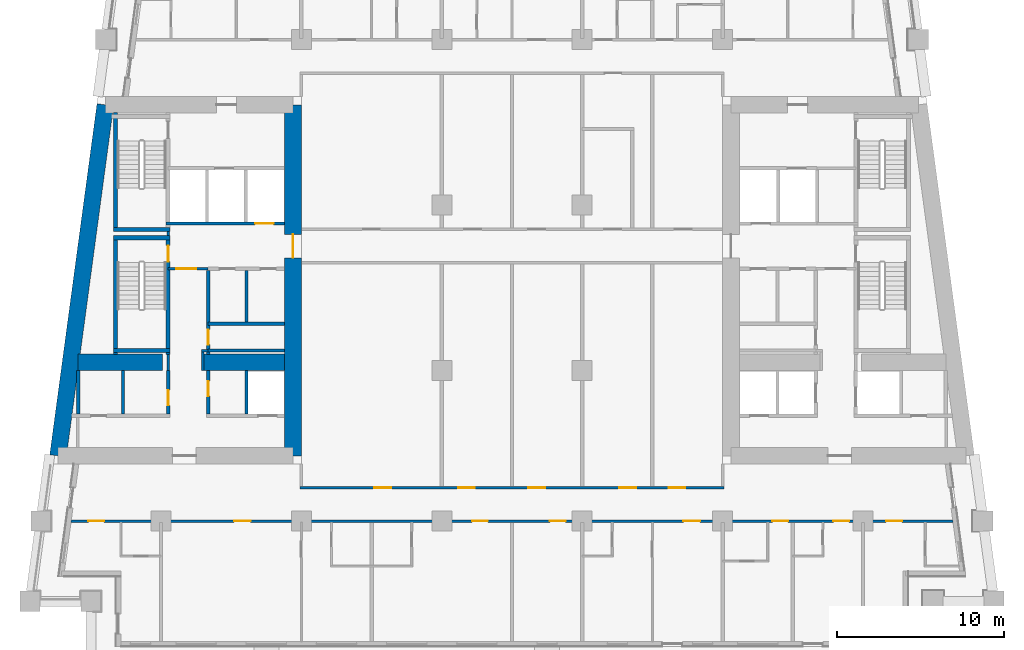
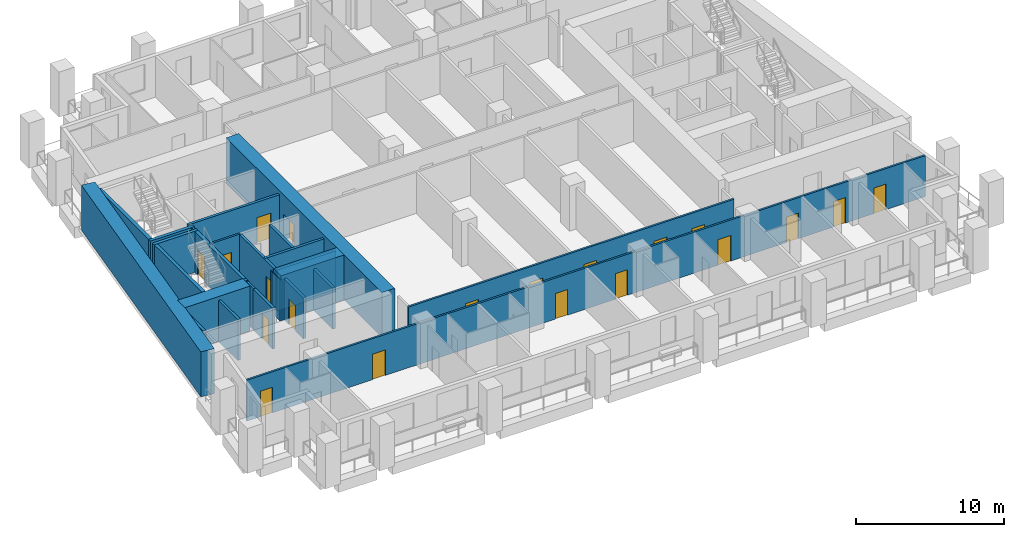
# One storey, part 3 of 13: 27 walls, 20 doors, 20 openings.
"""IFC4 building model written with IfcOpenShell, lengths in metres."""

from ifc_helpers import new_model, si_unit, direction, frame, frame_2d, origin, place, context, subcontext, project, spatial, rectangle, extrude, material, layer, layer_set, type_object, element, fill, save


model = new_model("IFC4")

# Units and contexts
model_context = context("Model", 3, precision=1e-05, world=origin(), true_north=direction((0.0, 1.0)))
body_context = subcontext(model_context, "Body", "Model", "MODEL_VIEW")
ifc_project = project(units=[si_unit("LENGTHUNIT", "METRE"), si_unit("AREAUNIT", "SQUARE_METRE"), si_unit("VOLUMEUNIT", "CUBIC_METRE"), si_unit("PLANEANGLEUNIT", "RADIAN"), si_unit("MASSUNIT", "GRAM", prefix="KILO")], contexts=[model_context])

# Site, building, storey
site_placement = place(None, origin())
site = spatial("IfcSite", under=ifc_project, at=site_placement, CompositionType="ELEMENT")
building_placement = place(site_placement, origin())
building = spatial("IfcBuilding", under=site, at=building_placement, Name="Candeia Pilgrim Tower and Theatre", CompositionType="ELEMENT")
storey_placement = place(building_placement, frame((0.0, 0.0, 109.5)))
storey = spatial("IfcBuildingStorey", under=building, at=storey_placement, Name="L25", CompositionType="ELEMENT", Elevation=109.5)

# Wall, opening, door
ifc_material_1 = material(Name="Concrete C70/85", Category="concrete")
ifc_layer_1 = layer(ifc_material_1, 1.0)
ifc_layer_set_1 = layer_set([ifc_layer_1], Name="Core wall 1000 C70/85")
wall_type_1 = type_object("IfcWallType", Name="Core wall 1000 C70/85", PredefinedType="SHEAR", material=ifc_layer_set_1)
wall_1_placement = place(storey_placement, frame((100.300048828125, 131.89990234375, 0.0), z_axis=(0.0, 0.0, 1.0), x_axis=(0.0, -1.0, 0.0)))
wall_1 = element("IfcWall", 1, at=wall_1_placement, inside=storey, type_object=wall_type_1, Name="Core wall W2", PredefinedType="SHEAR", context=body_context, shape_type="SweptSolid", body=[
    extrude(rectangle(XDim=21.0, YDim=1.0, at=frame_2d((10.5, 0.0))), origin(), (0.0, 0.0, 1.0), 3.699951171875),
])
opening_1_placement = place(wall_1_placement, frame((7.75, 0.0, 0.0)))
opening_1 = element("IfcOpeningElement", 2, at=opening_1_placement, cuts=wall_1, Name="Opening L25-D063", PredefinedType="OPENING", context=body_context, shape_type="SweptSolid", body=[
    extrude(rectangle(XDim=1.39990234375, YDim=2.10009765625, at=frame_2d((0.699951171875, 1.050048828125))), frame((0.0, 0.510009765625, 0.0), z_axis=(0.0, -1.0, 0.0), x_axis=(1.0, 0.0, 0.0)), (0.0, 0.0, 1.0), 1.02001953125),
])
ifc_material_2 = material(Name="Steel fire door set", Category="steel")
door_type_1 = type_object("IfcDoorType", Name="D-1400-FD60", OperationType="NOTDEFINED", PredefinedType="DOOR", material=ifc_material_2)
door_1_placement = place(opening_1_placement, origin())
door_1 = element("IfcDoor", 3, at=door_1_placement, inside=storey, type_object=door_type_1, Name="Door L25-D063", OperationType="SINGLE_SWING_RIGHT", OverallHeight=2.10009765625, OverallWidth=1.39990234375, PredefinedType="DOOR", context=body_context, shape_type="SweptSolid", body=[
    extrude(rectangle(XDim=1.39990234375, YDim=2.10009765625, at=frame_2d((0.699951171875, 1.050048828125))), frame((0.0, 0.02490234375, 0.0), z_axis=(0.0, -1.0, 0.0), x_axis=(1.0, 0.0, 0.0)), (0.0, 0.0, 1.0), 0.050048828125),
])
fill(opening_1, door_1)

# Walls
wall_2_placement = place(storey_placement, frame((86.240966796875, 110.89990234375, 0.0), z_axis=(0.0, 0.0, 1.0), x_axis=(0.133411141623, 0.991060778808, 0.0)))
element("IfcWall", 4, at=wall_2_placement, inside=storey, type_object=wall_type_1, Name="Core wall W4", PredefinedType="SHEAR", context=body_context, shape_type="SweptSolid", body=[
    extrude(rectangle(XDim=21.189453125, YDim=1.0, at=frame_2d((10.5947265625, 0.0))), origin(), (0.0, 0.0, 1.0), 3.699951171875),
])
wall_3_placement = place(storey_placement, frame((87.423095703125, 116.5, 0.0), z_axis=(0.0, 0.0, 1.0), x_axis=(1.0, 0.0, 0.0)))
element("IfcWall", 5, at=wall_3_placement, inside=storey, type_object=wall_type_1, Name="Core wall W5", PredefinedType="SHEAR", context=body_context, shape_type="SweptSolid", body=[
    extrude(rectangle(XDim=5.076904296875, YDim=1.0, at=frame_2d((2.53857421875, 0.0))), origin(), (0.0, 0.0, 1.0), 3.699951171875),
])
wall_4_placement = place(storey_placement, frame((94.89990234375, 116.5, 0.0), z_axis=(0.0, 0.0, 1.0), x_axis=(1.0, 0.0, 0.0)))
element("IfcWall", 6, at=wall_4_placement, inside=storey, type_object=wall_type_1, Name="Core wall W6", PredefinedType="SHEAR", context=body_context, shape_type="SweptSolid", body=[
    extrude(rectangle(XDim=4.900146484375, YDim=1.0, at=frame_2d((2.4501953125, 0.0))), origin(), (0.0, 0.0, 1.0), 3.699951171875),
])
ifc_material_3 = material(Name="Gypsum board partition on steel studs", Category="steel")
ifc_layer_2 = layer(ifc_material_3, 0.14990234375)
ifc_layer_set_2 = layer_set([ifc_layer_2], Name="PW-150 lobby wall")
wall_type_2 = type_object("IfcWallType", Name="PW-150 lobby wall", PredefinedType="PARTITIONING", material=ifc_layer_set_2)
wall_5_placement = place(storey_placement, frame((94.824951171875, 117.199951171875, 0.0), z_axis=(0.0, 0.0, 1.0), x_axis=(1.0, 0.0, 0.0)))
element("IfcWall", 7, at=wall_5_placement, inside=storey, type_object=wall_type_2, Name="Lobby wall L25-015", PredefinedType="PARTITIONING", context=body_context, shape_type="SweptSolid", body=[
    extrude(rectangle(XDim=0.402099609375, YDim=0.14990234375, at=frame_2d((0.201171875, 0.0))), origin(), (0.0, 0.0, 1.0), 3.3798828125),
])

# Wall, opening, door
wall_6_placement = place(storey_placement, frame((92.826904296875, 122.10009765625, 0.0), z_axis=(0.0, 0.0, 1.0), x_axis=(1.0, 0.0, 0.0)))
wall_6 = element("IfcWall", 8, at=wall_6_placement, inside=storey, type_object=wall_type_2, Name="Lobby wall L25-023", PredefinedType="PARTITIONING", context=body_context, shape_type="SweptSolid", body=[
    extrude(rectangle(XDim=2.400146484375, YDim=0.14990234375, at=frame_2d((1.2001953125, 0.0))), origin(), (0.0, 0.0, 1.0), 3.3798828125),
])
opening_2_placement = place(wall_6_placement, frame((0.47509765625, 0.0, 0.0)))
opening_2 = element("IfcOpeningElement", 9, at=opening_2_placement, cuts=wall_6, Name="Opening L25-D001", PredefinedType="OPENING", context=body_context, shape_type="SweptSolid", body=[
    extrude(rectangle(XDim=1.199951171875, YDim=2.10009765625, at=frame_2d((0.60009765625, 1.050048828125))), frame((0.0, 0.0849609375, 0.0), z_axis=(0.0, -1.0, 0.0), x_axis=(1.0, 0.0, 0.0)), (0.0, 0.0, 1.0), 0.169921875),
])
door_type_2 = type_object("IfcDoorType", Name="D-1200-FD60", OperationType="NOTDEFINED", PredefinedType="DOOR", material=ifc_material_2)
door_2_placement = place(opening_2_placement, origin())
door_2 = element("IfcDoor", 10, at=door_2_placement, inside=storey, type_object=door_type_2, Name="Door L25-D001", OperationType="SINGLE_SWING_RIGHT", OverallHeight=2.10009765625, OverallWidth=1.199951171875, PredefinedType="DOOR", context=body_context, shape_type="SweptSolid", body=[
    extrude(rectangle(XDim=1.199951171875, YDim=2.10009765625, at=frame_2d((0.60009765625, 1.050048828125))), frame((0.0, 0.02490234375, 0.0), z_axis=(0.0, -1.0, 0.0), x_axis=(1.0, 0.0, 0.0)), (0.0, 0.0, 1.0), 0.050048828125),
])
fill(opening_2, door_2)

# Walls
wall_7_placement = place(storey_placement, frame((92.826904296875, 116.0, 0.0), z_axis=(0.0, 0.0, 1.0), x_axis=(0.0, 1.0, 0.0)))
element("IfcWall", 11, at=wall_7_placement, inside=storey, type_object=wall_type_2, Name="Lobby wall L25-055", PredefinedType="PARTITIONING", context=body_context, shape_type="SweptSolid", body=[
    extrude(rectangle(XDim=0.969970703125, YDim=0.14990234375, at=frame_2d((0.48486328125, 0.0))), origin(), (0.0, 0.0, 1.0), 3.3798828125),
])
wall_8_placement = place(storey_placement, frame((92.826904296875, 124.074951171875, 0.0), z_axis=(0.0, 0.0, 1.0), x_axis=(0.0, 1.0, 0.0)))
element("IfcWall", 12, at=wall_8_placement, inside=storey, type_object=wall_type_2, Name="Lobby wall L25-056", PredefinedType="PARTITIONING", context=body_context, shape_type="SweptSolid", body=[
    extrude(rectangle(XDim=0.25, YDim=0.14990234375, at=frame_2d((0.125, 0.0))), origin(), (0.0, 0.0, 1.0), 3.3798828125),
])
wall_9_placement = place(storey_placement, frame((94.89990234375, 116.0, 0.0), z_axis=(0.0, 0.0, 1.0), x_axis=(0.0, 1.0, 0.0)))
element("IfcWall", 13, at=wall_9_placement, inside=storey, type_object=wall_type_2, Name="Lobby wall L25-060", PredefinedType="PARTITIONING", context=body_context, shape_type="SweptSolid", body=[
    extrude(rectangle(XDim=1.125, YDim=0.14990234375, at=frame_2d((0.5625, 0.0))), origin(), (0.0, 0.0, 1.0), 3.3798828125),
])

# Wall, openings, doors
ifc_layer_3 = layer(ifc_material_3, 0.14990234375)
ifc_layer_set_3 = layer_set([ifc_layer_3], Name="PW-150 unit wall")
wall_type_3 = type_object("IfcWallType", Name="PW-150 unit wall", PredefinedType="PARTITIONING", material=ifc_layer_set_3)
wall_10_placement = place(storey_placement, frame((87.017578125, 107.0, 0.0), z_axis=(0.0, 0.0, 1.0), x_axis=(1.0, 0.0, 0.0)))
wall_10 = element("IfcWall", 14, at=wall_10_placement, inside=storey, type_object=wall_type_3, Name="Unit wall L25-007", PredefinedType="PARTITIONING", context=body_context, shape_type="SweptSolid", body=[
    extrude(rectangle(XDim=52.7646484375, YDim=0.14990234375, at=frame_2d((26.38232421875, 0.0))), origin(), (0.0, 0.0, 1.0), 3.3798828125),
])
opening_3_placement = place(wall_10_placement, frame((1.0322265625, 0.0, 0.0)))
opening_3 = element("IfcOpeningElement", 15, at=opening_3_placement, cuts=wall_10, Name="Opening L25-D017", PredefinedType="OPENING", context=body_context, shape_type="SweptSolid", body=[
    extrude(rectangle(XDim=0.949951171875, YDim=2.10009765625, at=frame_2d((0.47509765625, 1.050048828125))), frame((0.0, 0.0849609375, 0.0), z_axis=(0.0, -1.0, 0.0), x_axis=(1.0, 0.0, 0.0)), (0.0, 0.0, 1.0), 0.169921875),
])
opening_4_placement = place(wall_10_placement, frame((9.752197265625, 0.0, 0.0)))
opening_4 = element("IfcOpeningElement", 16, at=opening_4_placement, cuts=wall_10, Name="Opening L25-D019", PredefinedType="OPENING", context=body_context, shape_type="SweptSolid", body=[
    extrude(rectangle(XDim=1.0, YDim=2.10009765625, at=frame_2d((0.5, 1.050048828125))), frame((0.0, 0.0849609375, 0.0), z_axis=(0.0, -1.0, 0.0), x_axis=(1.0, 0.0, 0.0)), (0.0, 0.0, 1.0), 0.169921875),
])
opening_5_placement = place(wall_10_placement, frame((23.995361328125, 0.0, 0.0)))
opening_5 = element("IfcOpeningElement", 17, at=opening_5_placement, cuts=wall_10, Name="Opening L25-D022", PredefinedType="OPENING", context=body_context, shape_type="SweptSolid", body=[
    extrude(rectangle(XDim=0.949951171875, YDim=2.10009765625, at=frame_2d((0.47509765625, 1.050048828125))), frame((0.0, 0.0849609375, 0.0), z_axis=(0.0, -1.0, 0.0), x_axis=(1.0, 0.0, 0.0)), (0.0, 0.0, 1.0), 0.169921875),
])
opening_6_placement = place(wall_10_placement, frame((28.645263671875, 0.0, 0.0)))
opening_6 = element("IfcOpeningElement", 18, at=opening_6_placement, cuts=wall_10, Name="Opening L25-D024", PredefinedType="OPENING", context=body_context, shape_type="SweptSolid", body=[
    extrude(rectangle(XDim=0.949951171875, YDim=2.10009765625, at=frame_2d((0.47509765625, 1.050048828125))), frame((0.0, 0.0849609375, 0.0), z_axis=(0.0, -1.0, 0.0), x_axis=(1.0, 0.0, 0.0)), (0.0, 0.0, 1.0), 0.169921875),
])
opening_7_placement = place(wall_10_placement, frame((36.63232421875, 0.0, 0.0)))
opening_7 = element("IfcOpeningElement", 19, at=opening_7_placement, cuts=wall_10, Name="Opening L25-D025", PredefinedType="OPENING", context=body_context, shape_type="SweptSolid", body=[
    extrude(rectangle(XDim=1.0, YDim=2.10009765625, at=frame_2d((0.5, 1.050048828125))), frame((0.0, 0.0849609375, 0.0), z_axis=(0.0, -1.0, 0.0), x_axis=(1.0, 0.0, 0.0)), (0.0, 0.0, 1.0), 0.169921875),
])
opening_8_placement = place(wall_10_placement, frame((41.957275390625, 0.0, 0.0)))
opening_8 = element("IfcOpeningElement", 20, at=opening_8_placement, cuts=wall_10, Name="Opening L25-D028", PredefinedType="OPENING", context=body_context, shape_type="SweptSolid", body=[
    extrude(rectangle(XDim=0.949951171875, YDim=2.10009765625, at=frame_2d((0.47509765625, 1.050048828125))), frame((0.0, 0.0849609375, 0.0), z_axis=(0.0, -1.0, 0.0), x_axis=(1.0, 0.0, 0.0)), (0.0, 0.0, 1.0), 0.169921875),
])
opening_9_placement = place(wall_10_placement, frame((45.607421875, 0.0, 0.0)))
opening_9 = element("IfcOpeningElement", 21, at=opening_9_placement, cuts=wall_10, Name="Opening L25-D030", PredefinedType="OPENING", context=body_context, shape_type="SweptSolid", body=[
    extrude(rectangle(XDim=0.949951171875, YDim=2.10009765625, at=frame_2d((0.47509765625, 1.050048828125))), frame((0.0, 0.0849609375, 0.0), z_axis=(0.0, -1.0, 0.0), x_axis=(1.0, 0.0, 0.0)), (0.0, 0.0, 1.0), 0.169921875),
])
opening_10_placement = place(wall_10_placement, frame((48.767333984375, 0.0, 0.0)))
opening_10 = element("IfcOpeningElement", 22, at=opening_10_placement, cuts=wall_10, Name="Opening L25-D032", PredefinedType="OPENING", context=body_context, shape_type="SweptSolid", body=[
    extrude(rectangle(XDim=0.949951171875, YDim=2.10009765625, at=frame_2d((0.47509765625, 1.050048828125))), frame((0.0, 0.0849609375, 0.0), z_axis=(0.0, -1.0, 0.0), x_axis=(1.0, 0.0, 0.0)), (0.0, 0.0, 1.0), 0.169921875),
])
door_type_3 = type_object("IfcDoorType", Name="D-1000-FD30S", OperationType="NOTDEFINED", PredefinedType="DOOR", material=ifc_material_2)
door_3_placement = place(opening_4_placement, origin())
door_3 = element("IfcDoor", 23, at=door_3_placement, inside=storey, type_object=door_type_3, Name="Door L25-D019", OperationType="SINGLE_SWING_RIGHT", OverallHeight=2.10009765625, OverallWidth=1.0, PredefinedType="DOOR", context=body_context, shape_type="SweptSolid", body=[
    extrude(rectangle(XDim=1.0, YDim=2.10009765625, at=frame_2d((0.5, 1.050048828125))), frame((0.0, 0.02490234375, 0.0), z_axis=(0.0, -1.0, 0.0), x_axis=(1.0, 0.0, 0.0)), (0.0, 0.0, 1.0), 0.050048828125),
])
fill(opening_4, door_3)
door_4_placement = place(opening_7_placement, origin())
door_4 = element("IfcDoor", 24, at=door_4_placement, inside=storey, type_object=door_type_3, Name="Door L25-D025", OperationType="SINGLE_SWING_RIGHT", OverallHeight=2.10009765625, OverallWidth=1.0, PredefinedType="DOOR", context=body_context, shape_type="SweptSolid", body=[
    extrude(rectangle(XDim=1.0, YDim=2.10009765625, at=frame_2d((0.5, 1.050048828125))), frame((0.0, 0.02490234375, 0.0), z_axis=(0.0, -1.0, 0.0), x_axis=(1.0, 0.0, 0.0)), (0.0, 0.0, 1.0), 0.050048828125),
])
fill(opening_7, door_4)
door_type_4 = type_object("IfcDoorType", Name="D-950-FD30S", OperationType="NOTDEFINED", PredefinedType="DOOR", material=ifc_material_2)
door_5_placement = place(opening_3_placement, origin())
door_5 = element("IfcDoor", 25, at=door_5_placement, inside=storey, type_object=door_type_4, Name="Door L25-D017", OperationType="SINGLE_SWING_RIGHT", OverallHeight=2.10009765625, OverallWidth=0.949951171875, PredefinedType="DOOR", context=body_context, shape_type="SweptSolid", body=[
    extrude(rectangle(XDim=0.949951171875, YDim=2.10009765625, at=frame_2d((0.47509765625, 1.050048828125))), frame((0.0, 0.02490234375, 0.0), z_axis=(0.0, -1.0, 0.0), x_axis=(1.0, 0.0, 0.0)), (0.0, 0.0, 1.0), 0.050048828125),
])
fill(opening_3, door_5)
door_6_placement = place(opening_5_placement, origin())
door_6 = element("IfcDoor", 26, at=door_6_placement, inside=storey, type_object=door_type_4, Name="Door L25-D022", OperationType="SINGLE_SWING_LEFT", OverallHeight=2.10009765625, OverallWidth=0.949951171875, PredefinedType="DOOR", context=body_context, shape_type="SweptSolid", body=[
    extrude(rectangle(XDim=0.949951171875, YDim=2.10009765625, at=frame_2d((0.47509765625, 1.050048828125))), frame((0.0, 0.02490234375, 0.0), z_axis=(0.0, -1.0, 0.0), x_axis=(1.0, 0.0, 0.0)), (0.0, 0.0, 1.0), 0.050048828125),
])
fill(opening_5, door_6)
door_7_placement = place(opening_6_placement, origin())
door_7 = element("IfcDoor", 27, at=door_7_placement, inside=storey, type_object=door_type_4, Name="Door L25-D024", OperationType="SINGLE_SWING_LEFT", OverallHeight=2.10009765625, OverallWidth=0.949951171875, PredefinedType="DOOR", context=body_context, shape_type="SweptSolid", body=[
    extrude(rectangle(XDim=0.949951171875, YDim=2.10009765625, at=frame_2d((0.47509765625, 1.050048828125))), frame((0.0, 0.02490234375, 0.0), z_axis=(0.0, -1.0, 0.0), x_axis=(1.0, 0.0, 0.0)), (0.0, 0.0, 1.0), 0.050048828125),
])
fill(opening_6, door_7)
door_8_placement = place(opening_8_placement, origin())
door_8 = element("IfcDoor", 28, at=door_8_placement, inside=storey, type_object=door_type_4, Name="Door L25-D028", OperationType="SINGLE_SWING_LEFT", OverallHeight=2.10009765625, OverallWidth=0.949951171875, PredefinedType="DOOR", context=body_context, shape_type="SweptSolid", body=[
    extrude(rectangle(XDim=0.949951171875, YDim=2.10009765625, at=frame_2d((0.47509765625, 1.050048828125))), frame((0.0, 0.02490234375, 0.0), z_axis=(0.0, -1.0, 0.0), x_axis=(1.0, 0.0, 0.0)), (0.0, 0.0, 1.0), 0.050048828125),
])
fill(opening_8, door_8)
door_9_placement = place(opening_9_placement, origin())
door_9 = element("IfcDoor", 29, at=door_9_placement, inside=storey, type_object=door_type_4, Name="Door L25-D030", OperationType="SINGLE_SWING_LEFT", OverallHeight=2.10009765625, OverallWidth=0.949951171875, PredefinedType="DOOR", context=body_context, shape_type="SweptSolid", body=[
    extrude(rectangle(XDim=0.949951171875, YDim=2.10009765625, at=frame_2d((0.47509765625, 1.050048828125))), frame((0.0, 0.02490234375, 0.0), z_axis=(0.0, -1.0, 0.0), x_axis=(1.0, 0.0, 0.0)), (0.0, 0.0, 1.0), 0.050048828125),
])
fill(opening_9, door_9)
door_10_placement = place(opening_10_placement, origin())
door_10 = element("IfcDoor", 30, at=door_10_placement, inside=storey, type_object=door_type_4, Name="Door L25-D032", OperationType="SINGLE_SWING_LEFT", OverallHeight=2.10009765625, OverallWidth=0.949951171875, PredefinedType="DOOR", context=body_context, shape_type="SweptSolid", body=[
    extrude(rectangle(XDim=0.949951171875, YDim=2.10009765625, at=frame_2d((0.47509765625, 1.050048828125))), frame((0.0, 0.02490234375, 0.0), z_axis=(0.0, -1.0, 0.0), x_axis=(1.0, 0.0, 0.0)), (0.0, 0.0, 1.0), 0.050048828125),
])
fill(opening_10, door_10)

wall_11_placement = place(storey_placement, frame((100.72509765625, 109.0, 0.0), z_axis=(0.0, 0.0, 1.0), x_axis=(1.0, 0.0, 0.0)))
wall_11 = element("IfcWall", 31, at=wall_11_placement, inside=storey, type_object=wall_type_3, Name="Unit wall L25-008", PredefinedType="PARTITIONING", context=body_context, shape_type="SweptSolid", body=[
    extrude(rectangle(XDim=25.349853515625, YDim=0.14990234375, at=frame_2d((12.6748046875, 0.0))), origin(), (0.0, 0.0, 1.0), 3.3798828125),
])
opening_11_placement = place(wall_11_placement, frame((4.445068359375, 0.0, 0.0)))
opening_11 = element("IfcOpeningElement", 32, at=opening_11_placement, cuts=wall_11, Name="Opening L25-D051", PredefinedType="OPENING", context=body_context, shape_type="SweptSolid", body=[
    extrude(rectangle(XDim=1.0, YDim=2.10009765625, at=frame_2d((0.5, 1.050048828125))), frame((0.0, 0.0849609375, 0.0), z_axis=(0.0, -1.0, 0.0), x_axis=(1.0, 0.0, 0.0)), (0.0, 0.0, 1.0), 0.169921875),
])
opening_12_placement = place(wall_11_placement, frame((9.449951171875, 0.0, 0.0)))
opening_12 = element("IfcOpeningElement", 33, at=opening_12_placement, cuts=wall_11, Name="Opening L25-D052", PredefinedType="OPENING", context=body_context, shape_type="SweptSolid", body=[
    extrude(rectangle(XDim=1.0, YDim=2.10009765625, at=frame_2d((0.5, 1.050048828125))), frame((0.0, 0.0849609375, 0.0), z_axis=(0.0, -1.0, 0.0), x_axis=(1.0, 0.0, 0.0)), (0.0, 0.0, 1.0), 0.169921875),
])
opening_13_placement = place(wall_11_placement, frame((13.64990234375, 0.0, 0.0)))
opening_13 = element("IfcOpeningElement", 34, at=opening_13_placement, cuts=wall_11, Name="Opening L25-D053", PredefinedType="OPENING", context=body_context, shape_type="SweptSolid", body=[
    extrude(rectangle(XDim=1.0, YDim=2.10009765625, at=frame_2d((0.5, 1.050048828125))), frame((0.0, 0.0849609375, 0.0), z_axis=(0.0, -1.0, 0.0), x_axis=(1.0, 0.0, 0.0)), (0.0, 0.0, 1.0), 0.169921875),
])
opening_14_placement = place(wall_11_placement, frame((19.10009765625, 0.0, 0.0)))
opening_14 = element("IfcOpeningElement", 35, at=opening_14_placement, cuts=wall_11, Name="Opening L25-D054", PredefinedType="OPENING", context=body_context, shape_type="SweptSolid", body=[
    extrude(rectangle(XDim=1.0, YDim=2.10009765625, at=frame_2d((0.5, 1.050048828125))), frame((0.0, 0.0849609375, 0.0), z_axis=(0.0, -1.0, 0.0), x_axis=(1.0, 0.0, 0.0)), (0.0, 0.0, 1.0), 0.169921875),
])
opening_15_placement = place(wall_11_placement, frame((22.050048828125, 0.0, 0.0)))
opening_15 = element("IfcOpeningElement", 36, at=opening_15_placement, cuts=wall_11, Name="Opening L25-D055", PredefinedType="OPENING", context=body_context, shape_type="SweptSolid", body=[
    extrude(rectangle(XDim=1.0, YDim=2.10009765625, at=frame_2d((0.5, 1.050048828125))), frame((0.0, 0.0849609375, 0.0), z_axis=(0.0, -1.0, 0.0), x_axis=(1.0, 0.0, 0.0)), (0.0, 0.0, 1.0), 0.169921875),
])
door_11_placement = place(opening_11_placement, origin())
door_11 = element("IfcDoor", 37, at=door_11_placement, inside=storey, type_object=door_type_3, Name="Door L25-D051", OperationType="SINGLE_SWING_RIGHT", OverallHeight=2.10009765625, OverallWidth=1.0, PredefinedType="DOOR", context=body_context, shape_type="SweptSolid", body=[
    extrude(rectangle(XDim=1.0, YDim=2.10009765625, at=frame_2d((0.5, 1.050048828125))), frame((0.0, 0.02490234375, 0.0), z_axis=(0.0, -1.0, 0.0), x_axis=(1.0, 0.0, 0.0)), (0.0, 0.0, 1.0), 0.050048828125),
])
fill(opening_11, door_11)
door_12_placement = place(opening_12_placement, origin())
door_12 = element("IfcDoor", 38, at=door_12_placement, inside=storey, type_object=door_type_3, Name="Door L25-D052", OperationType="SINGLE_SWING_LEFT", OverallHeight=2.10009765625, OverallWidth=1.0, PredefinedType="DOOR", context=body_context, shape_type="SweptSolid", body=[
    extrude(rectangle(XDim=1.0, YDim=2.10009765625, at=frame_2d((0.5, 1.050048828125))), frame((0.0, 0.02490234375, 0.0), z_axis=(0.0, -1.0, 0.0), x_axis=(1.0, 0.0, 0.0)), (0.0, 0.0, 1.0), 0.050048828125),
])
fill(opening_12, door_12)
door_13_placement = place(opening_13_placement, origin())
door_13 = element("IfcDoor", 39, at=door_13_placement, inside=storey, type_object=door_type_3, Name="Door L25-D053", OperationType="SINGLE_SWING_RIGHT", OverallHeight=2.10009765625, OverallWidth=1.0, PredefinedType="DOOR", context=body_context, shape_type="SweptSolid", body=[
    extrude(rectangle(XDim=1.0, YDim=2.10009765625, at=frame_2d((0.5, 1.050048828125))), frame((0.0, 0.02490234375, 0.0), z_axis=(0.0, -1.0, 0.0), x_axis=(1.0, 0.0, 0.0)), (0.0, 0.0, 1.0), 0.050048828125),
])
fill(opening_13, door_13)
door_14_placement = place(opening_14_placement, origin())
door_14 = element("IfcDoor", 40, at=door_14_placement, inside=storey, type_object=door_type_3, Name="Door L25-D054", OperationType="SINGLE_SWING_LEFT", OverallHeight=2.10009765625, OverallWidth=1.0, PredefinedType="DOOR", context=body_context, shape_type="SweptSolid", body=[
    extrude(rectangle(XDim=1.0, YDim=2.10009765625, at=frame_2d((0.5, 1.050048828125))), frame((0.0, 0.02490234375, 0.0), z_axis=(0.0, -1.0, 0.0), x_axis=(1.0, 0.0, 0.0)), (0.0, 0.0, 1.0), 0.050048828125),
])
fill(opening_14, door_14)
door_15_placement = place(opening_15_placement, origin())
door_15 = element("IfcDoor", 41, at=door_15_placement, inside=storey, type_object=door_type_3, Name="Door L25-D055", OperationType="SINGLE_SWING_RIGHT", OverallHeight=2.10009765625, OverallWidth=1.0, PredefinedType="DOOR", context=body_context, shape_type="SweptSolid", body=[
    extrude(rectangle(XDim=1.0, YDim=2.10009765625, at=frame_2d((0.5, 1.050048828125))), frame((0.0, 0.02490234375, 0.0), z_axis=(0.0, -1.0, 0.0), x_axis=(1.0, 0.0, 0.0)), (0.0, 0.0, 1.0), 0.050048828125),
])
fill(opening_15, door_15)

# Walls
ifc_material_4 = material(Name="Concrete C40/50", Category="concrete")
ifc_layer_4 = layer(ifc_material_4, 0.199951171875)
ifc_layer_set_4 = layer_set([ifc_layer_4], Name="SW-200 shaft wall")
wall_type_4 = type_object("IfcWallType", Name="SW-200 shaft wall", PredefinedType="PARTITIONING", material=ifc_layer_set_4)
for number, where, z_axis, x_axis, name in (
    (42, (95.22705078125, 117.199951171875, 0.0), (0.0, 0.0, 1.0), (1.0, 0.0, 0.0), "Shaft wall L25-013"),
    (43, (95.22705078125, 118.800048828125, 0.0), (0.0, 0.0, 1.0), (1.0, 0.0, 0.0), "Shaft wall L25-019"),
):
    element("IfcWall", number, at=place(storey_placement, frame(where, z_axis=z_axis, x_axis=x_axis)), inside=storey, type_object=wall_type_4, Name=name, PredefinedType="PARTITIONING", context=body_context, shape_type="SweptSolid", body=[
        extrude(rectangle(XDim=4.572998046875, YDim=0.199951171875, at=frame_2d((2.28662109375, 0.0))), origin(), (0.0, 0.0, 1.0), 3.3798828125),
    ])

# Wall, opening, door
wall_12_placement = place(storey_placement, frame((92.701904296875, 124.800048828125, 0.0), z_axis=(0.0, 0.0, 1.0), x_axis=(1.0, 0.0, 0.0)))
wall_12 = element("IfcWall", 44, at=wall_12_placement, inside=storey, type_object=wall_type_4, Name="Shaft wall L25-031", PredefinedType="PARTITIONING", context=body_context, shape_type="SweptSolid", body=[
    extrude(rectangle(XDim=7.09814453125, YDim=0.199951171875, at=frame_2d((3.549072265625, 0.0))), origin(), (0.0, 0.0, 1.0), 3.3798828125),
])
opening_16_placement = place(wall_12_placement, frame((5.3330078125, 0.0, 0.0)))
opening_16 = element("IfcOpeningElement", 45, at=opening_16_placement, cuts=wall_12, Name="Opening L25-LD02", PredefinedType="OPENING", context=body_context, shape_type="SweptSolid", body=[
    extrude(rectangle(XDim=1.10009765625, YDim=2.10009765625, at=frame_2d((0.550048828125, 1.050048828125))), frame((0.0, 0.10986328125, 0.0), z_axis=(0.0, -1.0, 0.0), x_axis=(1.0, 0.0, 0.0)), (0.0, 0.0, 1.0), 0.219970703125),
])
ifc_material_5 = material(Name="Glazed aluminium landing door", Category="aluminium")
door_type_5 = type_object("IfcDoorType", Name="LD-1100-EI120", OperationType="SLIDING_TO_LEFT", PredefinedType="DOOR", material=ifc_material_5)
door_16_placement = place(opening_16_placement, origin())
door_16 = element("IfcDoor", 46, at=door_16_placement, inside=storey, type_object=door_type_5, Name="Landing door 02 L25", OperationType="SLIDING_TO_LEFT", OverallHeight=2.10009765625, OverallWidth=1.10009765625, PredefinedType="DOOR", context=body_context, shape_type="SweptSolid", body=[
    extrude(rectangle(XDim=1.10009765625, YDim=2.10009765625, at=frame_2d((0.550048828125, 1.050048828125))), frame((0.0, 0.02490234375, 0.0), z_axis=(0.0, -1.0, 0.0), x_axis=(1.0, 0.0, 0.0)), (0.0, 0.0, 1.0), 0.050048828125),
])
fill(opening_16, door_16)

# Walls
for number, where, z_axis, x_axis, name in (
    (47, (87.451171875, 113.39990234375, 0.0), (0.0, 0.0, 1.0), (0.0, 1.0, 0.0), "Shaft wall L25-047"),
    (48, (90.1279296875, 113.39990234375, 0.0), (0.0, 0.0, 1.0), (0.0, 1.0, 0.0), "Shaft wall L25-052"),
):
    element("IfcWall", number, at=place(storey_placement, frame(where, z_axis=z_axis, x_axis=x_axis)), inside=storey, type_object=wall_type_4, Name=name, PredefinedType="PARTITIONING", context=body_context, shape_type="SweptSolid", body=[
        extrude(rectangle(XDim=2.60009765625, YDim=0.199951171875, at=frame_2d((1.300048828125, 0.0))), origin(), (0.0, 0.0, 1.0), 3.3798828125),
    ])

# Wall, opening, door
wall_13_placement = place(storey_placement, frame((92.826904296875, 113.39990234375, 0.0), z_axis=(0.0, 0.0, 1.0), x_axis=(0.0, 1.0, 0.0)))
wall_13 = element("IfcWall", 49, at=wall_13_placement, inside=storey, type_object=wall_type_4, Name="Shaft wall L25-054", PredefinedType="PARTITIONING", context=body_context, shape_type="SweptSolid", body=[
    extrude(rectangle(XDim=2.60009765625, YDim=0.199951171875, at=frame_2d((1.300048828125, 0.0))), origin(), (0.0, 0.0, 1.0), 3.3798828125),
])
opening_17_placement = place(wall_13_placement, frame((0.52490234375, 0.0, 0.0)))
opening_17 = element("IfcOpeningElement", 50, at=opening_17_placement, cuts=wall_13, Name="Opening L25-D008", PredefinedType="OPENING", context=body_context, shape_type="SweptSolid", body=[
    extrude(rectangle(XDim=0.89990234375, YDim=2.10009765625, at=frame_2d((0.449951171875, 1.050048828125))), frame((0.0, 0.10986328125, 0.0), z_axis=(0.0, -1.0, 0.0), x_axis=(1.0, 0.0, 0.0)), (0.0, 0.0, 1.0), 0.219970703125),
])
door_type_6 = type_object("IfcDoorType", Name="D-900-FD60", OperationType="NOTDEFINED", PredefinedType="DOOR", material=ifc_material_2)
door_17_placement = place(opening_17_placement, origin())
door_17 = element("IfcDoor", 51, at=door_17_placement, inside=storey, type_object=door_type_6, Name="Door L25-D008", OperationType="SINGLE_SWING_RIGHT", OverallHeight=2.10009765625, OverallWidth=0.89990234375, PredefinedType="DOOR", context=body_context, shape_type="SweptSolid", body=[
    extrude(rectangle(XDim=0.89990234375, YDim=2.10009765625, at=frame_2d((0.449951171875, 1.050048828125))), frame((0.0, 0.02490234375, 0.0), z_axis=(0.0, -1.0, 0.0), x_axis=(1.0, 0.0, 0.0)), (0.0, 0.0, 1.0), 0.050048828125),
])
fill(opening_17, door_17)

wall_14_placement = place(storey_placement, frame((95.22705078125, 113.39990234375, 0.0), z_axis=(0.0, 0.0, 1.0), x_axis=(0.0, 1.0, 0.0)))
wall_14 = element("IfcWall", 52, at=wall_14_placement, inside=storey, type_object=wall_type_4, Name="Shaft wall L25-062", PredefinedType="PARTITIONING", context=body_context, shape_type="SweptSolid", body=[
    extrude(rectangle(XDim=2.60009765625, YDim=0.199951171875, at=frame_2d((1.300048828125, 0.0))), origin(), (0.0, 0.0, 1.0), 3.3798828125),
])
opening_18_placement = place(wall_14_placement, frame((1.074951171875, 0.0, 0.0)))
opening_18 = element("IfcOpeningElement", 53, at=opening_18_placement, cuts=wall_14, Name="Opening L25-D009", PredefinedType="OPENING", context=body_context, shape_type="SweptSolid", body=[
    extrude(rectangle(XDim=0.89990234375, YDim=2.10009765625, at=frame_2d((0.449951171875, 1.050048828125))), frame((0.0, 0.10986328125, 0.0), z_axis=(0.0, -1.0, 0.0), x_axis=(1.0, 0.0, 0.0)), (0.0, 0.0, 1.0), 0.219970703125),
])
door_18_placement = place(opening_18_placement, origin())
door_18 = element("IfcDoor", 54, at=door_18_placement, inside=storey, type_object=door_type_6, Name="Door L25-D009", OperationType="SINGLE_SWING_LEFT", OverallHeight=2.10009765625, OverallWidth=0.89990234375, PredefinedType="DOOR", context=body_context, shape_type="SweptSolid", body=[
    extrude(rectangle(XDim=0.89990234375, YDim=2.10009765625, at=frame_2d((0.449951171875, 1.050048828125))), frame((0.0, 0.02490234375, 0.0), z_axis=(0.0, -1.0, 0.0), x_axis=(1.0, 0.0, 0.0)), (0.0, 0.0, 1.0), 0.050048828125),
])
fill(opening_18, door_18)

wall_15_placement = place(storey_placement, frame((95.22705078125, 116.969970703125, 0.0), z_axis=(0.0, 0.0, 1.0), x_axis=(0.0, 1.0, 0.0)))
wall_15 = element("IfcWall", 55, at=wall_15_placement, inside=storey, type_object=wall_type_4, Name="Shaft wall L25-063", PredefinedType="PARTITIONING", context=body_context, shape_type="SweptSolid", body=[
    extrude(rectangle(XDim=5.030029296875, YDim=0.199951171875, at=frame_2d((2.51513671875, 0.0))), origin(), (0.0, 0.0, 1.0), 3.3798828125),
])
opening_19_placement = place(wall_15_placement, frame((0.580078125, 0.0, 0.0)))
opening_19 = element("IfcOpeningElement", 56, at=opening_19_placement, cuts=wall_15, Name="Opening L25-D006", PredefinedType="OPENING", context=body_context, shape_type="SweptSolid", body=[
    extrude(rectangle(XDim=0.89990234375, YDim=2.10009765625, at=frame_2d((0.449951171875, 1.050048828125))), frame((0.0, 0.10986328125, 0.0), z_axis=(0.0, -1.0, 0.0), x_axis=(1.0, 0.0, 0.0)), (0.0, 0.0, 1.0), 0.219970703125),
])
door_19_placement = place(opening_19_placement, origin())
door_19 = element("IfcDoor", 57, at=door_19_placement, inside=storey, type_object=door_type_6, Name="Door L25-D006", OperationType="SINGLE_SWING_LEFT", OverallHeight=2.10009765625, OverallWidth=0.89990234375, PredefinedType="DOOR", context=body_context, shape_type="SweptSolid", body=[
    extrude(rectangle(XDim=0.89990234375, YDim=2.10009765625, at=frame_2d((0.449951171875, 1.050048828125))), frame((0.0, 0.02490234375, 0.0), z_axis=(0.0, -1.0, 0.0), x_axis=(1.0, 0.0, 0.0)), (0.0, 0.0, 1.0), 0.050048828125),
])
fill(opening_19, door_19)

# Walls
wall_16_placement = place(storey_placement, frame((97.513427734375, 113.39990234375, 0.0), z_axis=(0.0, 0.0, 1.0), x_axis=(0.0, 1.0, 0.0)))
element("IfcWall", 58, at=wall_16_placement, inside=storey, type_object=wall_type_4, Name="Shaft wall L25-066", PredefinedType="PARTITIONING", context=body_context, shape_type="SweptSolid", body=[
    extrude(rectangle(XDim=2.60009765625, YDim=0.199951171875, at=frame_2d((1.300048828125, 0.0))), origin(), (0.0, 0.0, 1.0), 3.3798828125),
])
wall_17_placement = place(storey_placement, frame((97.513427734375, 118.89990234375, 0.0), z_axis=(0.0, 0.0, 1.0), x_axis=(0.0, 1.0, 0.0)))
element("IfcWall", 59, at=wall_17_placement, inside=storey, type_object=wall_type_4, Name="Shaft wall L25-067", PredefinedType="PARTITIONING", context=body_context, shape_type="SweptSolid", body=[
    extrude(rectangle(XDim=3.10009765625, YDim=0.199951171875, at=frame_2d((1.550048828125, 0.0))), origin(), (0.0, 0.0, 1.0), 3.3798828125),
])
ifc_layer_5 = layer(ifc_material_4, 0.25)
ifc_layer_set_5 = layer_set([ifc_layer_5], Name="SW-250 stair wall")
wall_type_5 = type_object("IfcWallType", Name="SW-250 stair wall", PredefinedType="PARTITIONING", material=ifc_layer_set_5)
for number, where, z_axis, x_axis, name in (
    (60, (89.552001953125, 117.199951171875, 0.0), (0.0, 0.0, 1.0), (1.0, 0.0, 0.0), "Stair wall L25-017"),
    (61, (89.552001953125, 123.949951171875, 0.0), (0.0, 0.0, 1.0), (1.0, 0.0, 0.0), "Stair wall L25-026"),
    (62, (89.552001953125, 124.449951171875, 0.0), (0.0, 0.0, 1.0), (1.0, 0.0, 0.0), "Stair wall L25-028"),
):
    element("IfcWall", number, at=place(storey_placement, frame(where, z_axis=z_axis, x_axis=x_axis)), inside=storey, type_object=wall_type_5, Name=name, PredefinedType="PARTITIONING", context=body_context, shape_type="SweptSolid", body=[
        extrude(rectangle(XDim=3.39990234375, YDim=0.25, at=frame_2d((1.699951171875, 0.0))), origin(), (0.0, 0.0, 1.0), 3.3798828125),
    ])
for number, where, z_axis, x_axis, name in (
    (63, (89.677001953125, 116.969970703125, 0.0), (0.0, 0.0, 1.0), (0.0, 1.0, 0.0), "Stair wall L25-049"),
    (64, (89.677001953125, 124.574951171875, 0.0), (0.0, 0.0, 1.0), (0.0, 1.0, 0.0), "Stair wall L25-050"),
):
    element("IfcWall", number, at=place(storey_placement, frame(where, z_axis=z_axis, x_axis=x_axis)), inside=storey, type_object=wall_type_5, Name=name, PredefinedType="PARTITIONING", context=body_context, shape_type="SweptSolid", body=[
        extrude(rectangle(XDim=6.85498046875, YDim=0.25, at=frame_2d((3.427490234375, 0.0))), origin(), (0.0, 0.0, 1.0), 3.3798828125),
    ])

# Wall, opening, door
wall_18_placement = place(storey_placement, frame((92.826904296875, 116.969970703125, 0.0), z_axis=(0.0, 0.0, 1.0), x_axis=(0.0, 1.0, 0.0)))
wall_18 = element("IfcWall", 65, at=wall_18_placement, inside=storey, type_object=wall_type_5, Name="Stair wall L25-057", PredefinedType="PARTITIONING", context=body_context, shape_type="SweptSolid", body=[
    extrude(rectangle(XDim=6.85498046875, YDim=0.25, at=frame_2d((3.427490234375, 0.0))), origin(), (0.0, 0.0, 1.0), 3.3798828125),
])
opening_20_placement = place(wall_18_placement, frame((5.554931640625, 0.0, 0.0)))
opening_20 = element("IfcOpeningElement", 66, at=opening_20_placement, cuts=wall_18, Name="Opening L25-D004", PredefinedType="OPENING", context=body_context, shape_type="SweptSolid", body=[
    extrude(rectangle(XDim=0.949951171875, YDim=2.10009765625, at=frame_2d((0.47509765625, 1.050048828125))), frame((0.0, 0.135009765625, 0.0), z_axis=(0.0, -1.0, 0.0), x_axis=(1.0, 0.0, 0.0)), (0.0, 0.0, 1.0), 0.27001953125),
])
door_type_7 = type_object("IfcDoorType", Name="D-950-FD60", OperationType="NOTDEFINED", PredefinedType="DOOR", material=ifc_material_2)
door_20_placement = place(opening_20_placement, origin())
door_20 = element("IfcDoor", 67, at=door_20_placement, inside=storey, type_object=door_type_7, Name="Door L25-D004", OperationType="SINGLE_SWING_LEFT", OverallHeight=2.10009765625, OverallWidth=0.949951171875, PredefinedType="DOOR", context=body_context, shape_type="SweptSolid", body=[
    extrude(rectangle(XDim=0.949951171875, YDim=2.10009765625, at=frame_2d((0.47509765625, 1.050048828125))), frame((0.0, 0.02490234375, 0.0), z_axis=(0.0, -1.0, 0.0), x_axis=(1.0, 0.0, 0.0)), (0.0, 0.0, 1.0), 0.050048828125),
])
fill(opening_20, door_20)

save(model, "model.ifc")
